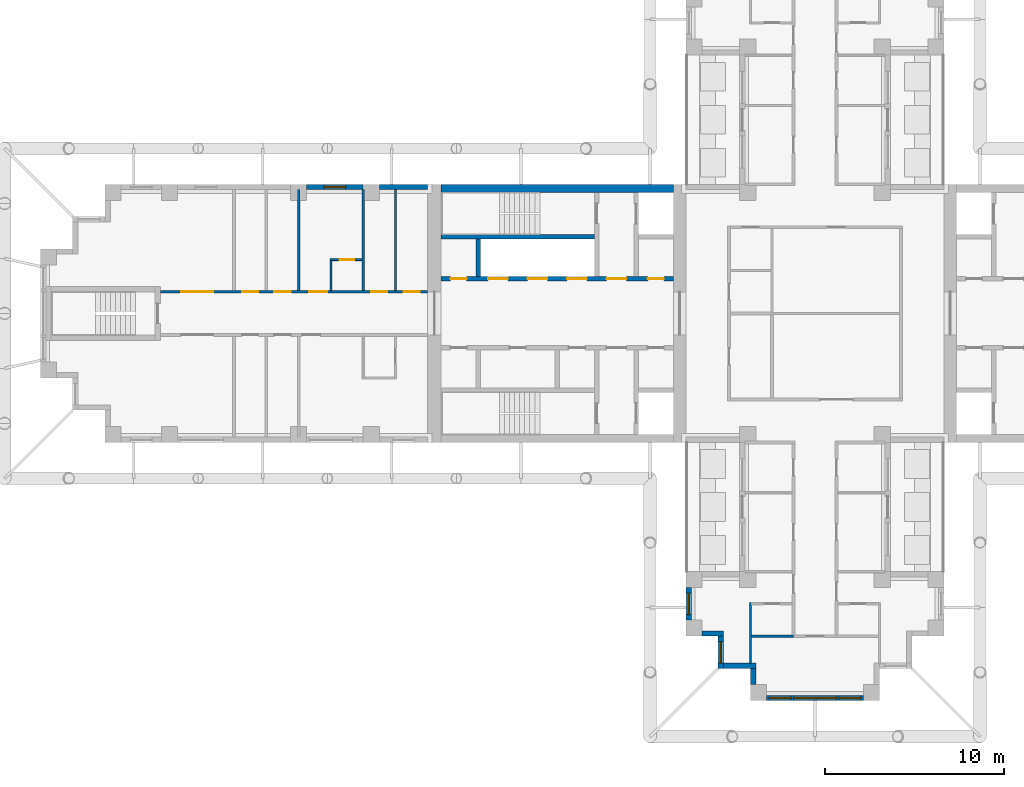
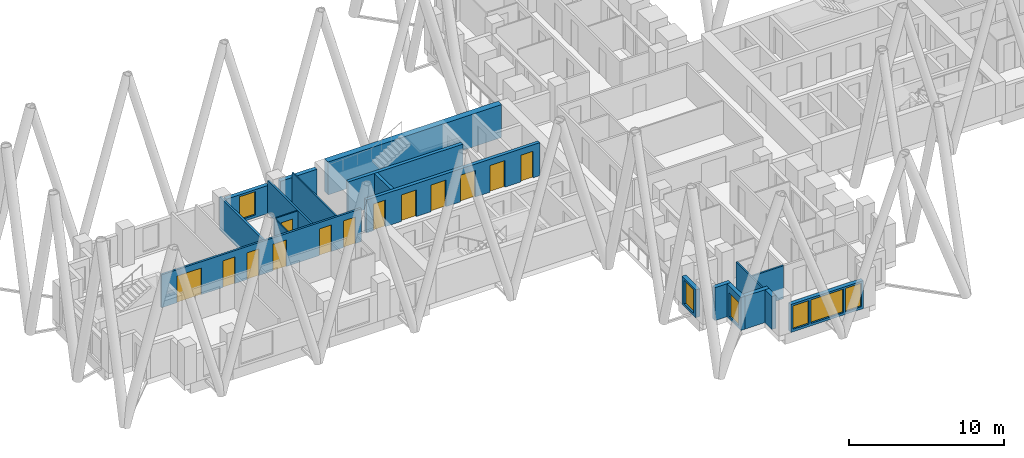
# One storey, part 4 of 13: 20 walls, 13 doors, 6 windows, 19 openings.
"""IFC4 building model written with IfcOpenShell, lengths in metres."""

from ifc_helpers import new_model, si_unit, direction, frame, frame_2d, origin, place, context, subcontext, project, spatial, rectangle, extrude, material, layer, layer_set, type_object, element, fill, save


model = new_model("IFC4")

# Units and contexts
model_context = context("Model", 3, precision=1e-05, world=origin(), true_north=direction((0.0, 1.0)))
body_context = subcontext(model_context, "Body", "Model", "MODEL_VIEW")
ifc_project = project(units=[si_unit("LENGTHUNIT", "METRE"), si_unit("AREAUNIT", "SQUARE_METRE"), si_unit("VOLUMEUNIT", "CUBIC_METRE"), si_unit("PLANEANGLEUNIT", "RADIAN"), si_unit("MASSUNIT", "GRAM", prefix="KILO")], contexts=[model_context])

# Site, building, storey
site_placement = place(None, origin())
site = spatial("IfcSite", under=ifc_project, at=site_placement, CompositionType="ELEMENT")
building_placement = place(site_placement, origin())
building = spatial("IfcBuilding", under=site, at=building_placement, Name="Fustian Cross Tower", CompositionType="ELEMENT")
storey_placement = place(building_placement, frame((0.0, 0.0, 153.300048828125)))
storey = spatial("IfcBuildingStorey", under=building, at=storey_placement, Name="L48", CompositionType="ELEMENT", Elevation=153.300048828125)

# Wall, openings, doors
ifc_material_1 = material(Name="Plasterboard on steel stud", Category="steel")
ifc_layer_1 = layer(ifc_material_1, 0.14990234375)
ifc_layer_set_1 = layer_set([ifc_layer_1], Name="Plasterboard on steel stud")
wall_type_1 = type_object("IfcWallType", Name="COMPARTMENT WALL 150 EI 60", PredefinedType="PARTITIONING", material=ifc_layer_set_1)
wall_1_placement = place(storey_placement, frame((-36.5, 1.199951171875, 0.0), z_axis=(0.0, 0.0, 1.0), x_axis=(1.0, 0.0, 0.0)))
wall_1 = element("IfcWall", 1, at=wall_1_placement, inside=storey, type_object=wall_type_1, Name="Partition 2", PredefinedType="PARTITIONING", context=body_context, shape_type="SweptSolid", body=[
    extrude(rectangle(XDim=14.89990234375, YDim=0.14990234375, at=frame_2d((7.449951171875, 0.0))), origin(), (0.0, 0.0, 1.0), 2.599853515625),
])
opening_1_placement = place(wall_1_placement, frame((13.550048828125, 0.0, 0.0)))
opening_1 = element("IfcOpeningElement", 2, at=opening_1_placement, cuts=wall_1, Name="Opening D21031", PredefinedType="OPENING", context=body_context, shape_type="SweptSolid", body=[
    extrude(rectangle(XDim=0.89990234375, YDim=2.10009765625, at=frame_2d((0.449951171875, 1.050048828125))), frame((0.0, 0.0849609375, 0.0), z_axis=(0.0, -1.0, 0.0), x_axis=(1.0, 0.0, 0.0)), (0.0, 0.0, 1.0), 0.169921875),
])
opening_2_placement = place(wall_1_placement, frame((11.75, 0.0, 0.0)))
opening_2 = element("IfcOpeningElement", 3, at=opening_2_placement, cuts=wall_1, Name="Opening D21032", PredefinedType="OPENING", context=body_context, shape_type="SweptSolid", body=[
    extrude(rectangle(XDim=0.89990234375, YDim=2.10009765625, at=frame_2d((0.449951171875, 1.050048828125))), frame((0.0, 0.0849609375, 0.0), z_axis=(0.0, -1.0, 0.0), x_axis=(1.0, 0.0, 0.0)), (0.0, 0.0, 1.0), 0.169921875),
])
opening_3_placement = place(wall_1_placement, frame((8.300048828125, 0.0, 0.0)))
opening_3 = element("IfcOpeningElement", 4, at=opening_3_placement, cuts=wall_1, Name="Opening D21034", PredefinedType="OPENING", context=body_context, shape_type="SweptSolid", body=[
    extrude(rectangle(XDim=1.0, YDim=2.10009765625, at=frame_2d((0.5, 1.050048828125))), frame((0.0, 0.0849609375, 0.0), z_axis=(0.0, -1.0, 0.0), x_axis=(1.0, 0.0, 0.0)), (0.0, 0.0, 1.0), 0.169921875),
])
opening_4_placement = place(wall_1_placement, frame((6.35009765625, 0.0, 0.0)))
opening_4 = element("IfcOpeningElement", 5, at=opening_4_placement, cuts=wall_1, Name="Opening D21035", PredefinedType="OPENING", context=body_context, shape_type="SweptSolid", body=[
    extrude(rectangle(XDim=0.89990234375, YDim=2.10009765625, at=frame_2d((0.449951171875, 1.050048828125))), frame((0.0, 0.0849609375, 0.0), z_axis=(0.0, -1.0, 0.0), x_axis=(1.0, 0.0, 0.0)), (0.0, 0.0, 1.0), 0.169921875),
])
opening_5_placement = place(wall_1_placement, frame((4.550048828125, 0.0, 0.0)))
opening_5 = element("IfcOpeningElement", 6, at=opening_5_placement, cuts=wall_1, Name="Opening D21036", PredefinedType="OPENING", context=body_context, shape_type="SweptSolid", body=[
    extrude(rectangle(XDim=0.89990234375, YDim=2.10009765625, at=frame_2d((0.449951171875, 1.050048828125))), frame((0.0, 0.0849609375, 0.0), z_axis=(0.0, -1.0, 0.0), x_axis=(1.0, 0.0, 0.0)), (0.0, 0.0, 1.0), 0.169921875),
])
opening_6_placement = place(wall_1_placement, frame((1.14990234375, 0.0, 0.0)))
opening_6 = element("IfcOpeningElement", 7, at=opening_6_placement, cuts=wall_1, Name="Opening D21037", PredefinedType="OPENING", context=body_context, shape_type="SweptSolid", body=[
    extrude(rectangle(XDim=1.800048828125, YDim=2.10009765625, at=frame_2d((0.89990234375, 1.050048828125))), frame((0.0, 0.0849609375, 0.0), z_axis=(0.0, -1.0, 0.0), x_axis=(1.0, 0.0, 0.0)), (0.0, 0.0, 1.0), 0.169921875),
])
ifc_material_2 = material(Name="Timber fire door set", Category="wood")
door_type_1 = type_object("IfcDoorType", Name="FIRE DOUBLE DOOR 1800 FD30S", OperationType="DOUBLE_DOOR_DOUBLE_SWING", PredefinedType="DOOR", material=ifc_material_2)
door_1_placement = place(opening_6_placement, frame((1.800048828125, 0.0, 0.0), z_axis=(0.0, 0.0, 1.0), x_axis=(-1.0, 0.0, 0.0)))
door_1 = element("IfcDoor", 8, at=door_1_placement, inside=storey, type_object=door_type_1, Name="Door D21037", OperationType="DOUBLE_DOOR_DOUBLE_SWING", OverallHeight=2.10009765625, OverallWidth=1.800048828125, PredefinedType="DOOR", context=body_context, shape_type="SweptSolid", body=[
    extrude(rectangle(XDim=1.800048828125, YDim=2.10009765625, at=frame_2d((0.89990234375, 1.050048828125))), frame((0.0, 0.02490234375, 0.0), z_axis=(0.0, -1.0, 0.0), x_axis=(1.0, 0.0, 0.0)), (0.0, 0.0, 1.0), 0.050048828125),
])
fill(opening_6, door_1)
ifc_material_3 = material(Name="Timber fire door set", Category="wood")
door_type_2 = type_object("IfcDoorType", Name="FIRE SWING DOOR 1000 FD30S", OperationType="SINGLE_SWING_LEFT", PredefinedType="DOOR", material=ifc_material_3)
door_2_placement = place(opening_3_placement, origin())
door_2 = element("IfcDoor", 9, at=door_2_placement, inside=storey, type_object=door_type_2, Name="Door D21034", OperationType="SINGLE_SWING_RIGHT", OverallHeight=2.10009765625, OverallWidth=1.0, PredefinedType="DOOR", context=body_context, shape_type="SweptSolid", body=[
    extrude(rectangle(XDim=1.0, YDim=2.10009765625, at=frame_2d((0.5, 1.050048828125))), frame((0.0, 0.02490234375, 0.0), z_axis=(0.0, -1.0, 0.0), x_axis=(1.0, 0.0, 0.0)), (0.0, 0.0, 1.0), 0.050048828125),
])
fill(opening_3, door_2)
ifc_material_4 = material(Name="Timber fire door set", Category="wood")
door_type_3 = type_object("IfcDoorType", Name="FIRE SWING DOOR 900 FD30S", OperationType="SINGLE_SWING_LEFT", PredefinedType="DOOR", material=ifc_material_4)
door_3_placement = place(opening_1_placement, origin())
door_3 = element("IfcDoor", 10, at=door_3_placement, inside=storey, type_object=door_type_3, Name="Door D21031", OperationType="SINGLE_SWING_RIGHT", OverallHeight=2.10009765625, OverallWidth=0.89990234375, PredefinedType="DOOR", context=body_context, shape_type="SweptSolid", body=[
    extrude(rectangle(XDim=0.89990234375, YDim=2.10009765625, at=frame_2d((0.449951171875, 1.050048828125))), frame((0.0, 0.02490234375, 0.0), z_axis=(0.0, -1.0, 0.0), x_axis=(1.0, 0.0, 0.0)), (0.0, 0.0, 1.0), 0.050048828125),
])
fill(opening_1, door_3)
door_4_placement = place(opening_2_placement, origin())
door_4 = element("IfcDoor", 11, at=door_4_placement, inside=storey, type_object=door_type_3, Name="Door D21032", OperationType="SINGLE_SWING_RIGHT", OverallHeight=2.10009765625, OverallWidth=0.89990234375, PredefinedType="DOOR", context=body_context, shape_type="SweptSolid", body=[
    extrude(rectangle(XDim=0.89990234375, YDim=2.10009765625, at=frame_2d((0.449951171875, 1.050048828125))), frame((0.0, 0.02490234375, 0.0), z_axis=(0.0, -1.0, 0.0), x_axis=(1.0, 0.0, 0.0)), (0.0, 0.0, 1.0), 0.050048828125),
])
fill(opening_2, door_4)
door_5_placement = place(opening_4_placement, origin())
door_5 = element("IfcDoor", 12, at=door_5_placement, inside=storey, type_object=door_type_3, Name="Door D21035", OperationType="SINGLE_SWING_RIGHT", OverallHeight=2.10009765625, OverallWidth=0.89990234375, PredefinedType="DOOR", context=body_context, shape_type="SweptSolid", body=[
    extrude(rectangle(XDim=0.89990234375, YDim=2.10009765625, at=frame_2d((0.449951171875, 1.050048828125))), frame((0.0, 0.02490234375, 0.0), z_axis=(0.0, -1.0, 0.0), x_axis=(1.0, 0.0, 0.0)), (0.0, 0.0, 1.0), 0.050048828125),
])
fill(opening_4, door_5)
door_6_placement = place(opening_5_placement, frame((0.89990234375, 0.0, 0.0), z_axis=(0.0, 0.0, 1.0), x_axis=(-1.0, 0.0, 0.0)))
door_6 = element("IfcDoor", 13, at=door_6_placement, inside=storey, type_object=door_type_3, Name="Door D21036", OperationType="SINGLE_SWING_RIGHT", OverallHeight=2.10009765625, OverallWidth=0.89990234375, PredefinedType="DOOR", context=body_context, shape_type="SweptSolid", body=[
    extrude(rectangle(XDim=0.89990234375, YDim=2.10009765625, at=frame_2d((0.449951171875, 1.050048828125))), frame((0.0, 0.02490234375, 0.0), z_axis=(0.0, -1.0, 0.0), x_axis=(1.0, 0.0, 0.0)), (0.0, 0.0, 1.0), 0.050048828125),
])
fill(opening_5, door_6)

# Walls
for number, where, z_axis, x_axis, name in (
    (14, (-28.800048828125, 1.27490234375, 0.0), (0.0, 0.0, 1.0), (0.0, 1.0, 0.0), "Partition 8"),
    (15, (-25.199951171875, 1.27490234375, 0.0), (0.0, 0.0, 1.0), (0.0, 1.0, 0.0), "Partition 13"),
):
    element("IfcWall", number, at=place(storey_placement, frame(where, z_axis=z_axis, x_axis=x_axis)), inside=storey, type_object=wall_type_1, Name=name, PredefinedType="PARTITIONING", context=body_context, shape_type="SweptSolid", body=[
        extrude(rectangle(XDim=5.625, YDim=0.14990234375, at=frame_2d((2.8125, 0.0))), origin(), (0.0, 0.0, 1.0), 2.599853515625),
    ])
ifc_material_5 = material(Name="Concrete C60/75", Category="concrete")
ifc_layer_2 = layer(ifc_material_5, 0.449951171875)
ifc_layer_set_2 = layer_set([ifc_layer_2], Name="Concrete C60/75")
wall_type_2 = type_object("IfcWallType", Name="CORE FACADE WALL 450 C60/75", PredefinedType="SHEAR", material=ifc_layer_set_2)
wall_2_placement = place(storey_placement, frame((-7.89990234375, 6.97509765625, 0.0), z_axis=(0.0, 0.0, 1.0), x_axis=(-1.0, 0.0, 0.0)))
element("IfcWall", 16, at=wall_2_placement, inside=storey, type_object=wall_type_2, Name="Core facade wall", PredefinedType="SHEAR", context=body_context, shape_type="SweptSolid", body=[
    extrude(rectangle(XDim=12.9501953125, YDim=0.449951171875, at=frame_2d((6.47509765625, 0.0))), origin(), (0.0, 0.0, 1.0), 2.599853515625),
])

# Wall, openings, doors
ifc_material_6 = material(Name="Concrete C50/60", Category="concrete")
ifc_layer_3 = layer(ifc_material_6, 0.25)
ifc_layer_set_3 = layer_set([ifc_layer_3], Name="Concrete C50/60")
wall_type_3 = type_object("IfcWallType", Name="CORE LOBBY WALL 250 C50/60", PredefinedType="SHEAR", material=ifc_layer_set_3)
wall_3_placement = place(storey_placement, frame((-7.89990234375, 1.925048828125, 0.0), z_axis=(0.0, 0.0, 1.0), x_axis=(-1.0, 0.0, 0.0)))
wall_3 = element("IfcWall", 17, at=wall_3_placement, inside=storey, type_object=wall_type_3, Name="Core lobby wall", PredefinedType="SHEAR", context=body_context, shape_type="SweptSolid", body=[
    extrude(rectangle(XDim=12.9501953125, YDim=0.25, at=frame_2d((6.47509765625, 0.0))), origin(), (0.0, 0.0, 1.0), 2.599853515625),
])
opening_7_placement = place(wall_3_placement, frame((4.824951171875, 0.0, 0.0)))
opening_7 = element("IfcOpeningElement", 18, at=opening_7_placement, cuts=wall_3, Name="Opening LD", PredefinedType="OPENING", context=body_context, shape_type="SweptSolid", body=[
    extrude(rectangle(XDim=1.10009765625, YDim=2.10009765625, at=frame_2d((0.550048828125, 1.050048828125))), frame((0.0, 0.135009765625, 0.0), z_axis=(0.0, -1.0, 0.0), x_axis=(1.0, 0.0, 0.0)), (0.0, 0.0, 1.0), 0.27001953125),
])
opening_8_placement = place(wall_3_placement, frame((7.02490234375, 0.0, 0.0)))
opening_8 = element("IfcOpeningElement", 19, at=opening_8_placement, cuts=wall_3, Name="Opening LD", PredefinedType="OPENING", context=body_context, shape_type="SweptSolid", body=[
    extrude(rectangle(XDim=1.10009765625, YDim=2.10009765625, at=frame_2d((0.550048828125, 1.050048828125))), frame((0.0, 0.135009765625, 0.0), z_axis=(0.0, -1.0, 0.0), x_axis=(1.0, 0.0, 0.0)), (0.0, 0.0, 1.0), 0.27001953125),
])
opening_9_placement = place(wall_3_placement, frame((9.22509765625, 0.0, 0.0)))
opening_9 = element("IfcOpeningElement", 20, at=opening_9_placement, cuts=wall_3, Name="Opening LD", PredefinedType="OPENING", context=body_context, shape_type="SweptSolid", body=[
    extrude(rectangle(XDim=1.10009765625, YDim=2.10009765625, at=frame_2d((0.550048828125, 1.050048828125))), frame((0.0, 0.135009765625, 0.0), z_axis=(0.0, -1.0, 0.0), x_axis=(1.0, 0.0, 0.0)), (0.0, 0.0, 1.0), 0.27001953125),
])
opening_10_placement = place(wall_3_placement, frame((0.52490234375, 0.0, 0.0)))
opening_10 = element("IfcOpeningElement", 21, at=opening_10_placement, cuts=wall_3, Name="Opening CD-16-25", PredefinedType="OPENING", context=body_context, shape_type="SweptSolid", body=[
    extrude(rectangle(XDim=0.89990234375, YDim=2.10009765625, at=frame_2d((0.449951171875, 1.050048828125))), frame((0.0, 0.135009765625, 0.0), z_axis=(0.0, -1.0, 0.0), x_axis=(1.0, 0.0, 0.0)), (0.0, 0.0, 1.0), 0.27001953125),
])
opening_11_placement = place(wall_3_placement, frame((2.625, 0.0, 0.0)))
opening_11 = element("IfcOpeningElement", 22, at=opening_11_placement, cuts=wall_3, Name="Opening CD-16-27", PredefinedType="OPENING", context=body_context, shape_type="SweptSolid", body=[
    extrude(rectangle(XDim=1.10009765625, YDim=2.10009765625, at=frame_2d((0.550048828125, 1.050048828125))), frame((0.0, 0.135009765625, 0.0), z_axis=(0.0, -1.0, 0.0), x_axis=(1.0, 0.0, 0.0)), (0.0, 0.0, 1.0), 0.27001953125),
])
opening_12_placement = place(wall_3_placement, frame((11.52490234375, 0.0, 0.0)))
opening_12 = element("IfcOpeningElement", 23, at=opening_12_placement, cuts=wall_3, Name="Opening CD-16-31", PredefinedType="OPENING", context=body_context, shape_type="SweptSolid", body=[
    extrude(rectangle(XDim=0.89990234375, YDim=2.10009765625, at=frame_2d((0.449951171875, 1.050048828125))), frame((0.0, 0.135009765625, 0.0), z_axis=(0.0, -1.0, 0.0), x_axis=(1.0, 0.0, 0.0)), (0.0, 0.0, 1.0), 0.27001953125),
])
ifc_material_7 = material(Name="Steel", Category="steel")
door_type_4 = type_object("IfcDoorType", Name="FIRE DOOR FD30S 900X2100", OperationType="SINGLE_SWING_LEFT", PredefinedType="DOOR", material=ifc_material_7)
door_7_placement = place(opening_12_placement, frame((0.89990234375, 0.0, 0.0), z_axis=(0.0, 0.0, 1.0), x_axis=(-1.0, 0.0, 0.0)))
door_7 = element("IfcDoor", 24, at=door_7_placement, inside=storey, type_object=door_type_4, Name="Core door CD-16-31", OperationType="SINGLE_SWING_RIGHT", OverallHeight=2.10009765625, OverallWidth=0.89990234375, PredefinedType="DOOR", context=body_context, shape_type="SweptSolid", body=[
    extrude(rectangle(XDim=0.89990234375, YDim=2.10009765625, at=frame_2d((0.449951171875, 1.050048828125))), frame((0.0, 0.02490234375, 0.0), z_axis=(0.0, -1.0, 0.0), x_axis=(1.0, 0.0, 0.0)), (0.0, 0.0, 1.0), 0.050048828125),
])
fill(opening_12, door_7)
ifc_material_8 = material(Name="Steel", Category="steel")
door_type_5 = type_object("IfcDoorType", Name="FIRE DOOR FD60S 1100X2100", OperationType="SINGLE_SWING_LEFT", PredefinedType="DOOR", material=ifc_material_8)
door_8_placement = place(opening_11_placement, frame((1.10009765625, 0.0, 0.0), z_axis=(0.0, 0.0, 1.0), x_axis=(-1.0, 0.0, 0.0)))
door_8 = element("IfcDoor", 25, at=door_8_placement, inside=storey, type_object=door_type_5, Name="Core door CD-16-27", OperationType="SINGLE_SWING_RIGHT", OverallHeight=2.10009765625, OverallWidth=1.10009765625, PredefinedType="DOOR", context=body_context, shape_type="SweptSolid", body=[
    extrude(rectangle(XDim=1.10009765625, YDim=2.10009765625, at=frame_2d((0.550048828125, 1.050048828125))), frame((0.0, 0.02490234375, 0.0), z_axis=(0.0, -1.0, 0.0), x_axis=(1.0, 0.0, 0.0)), (0.0, 0.0, 1.0), 0.050048828125),
])
fill(opening_11, door_8)
ifc_material_9 = material(Name="Steel", Category="steel")
door_type_6 = type_object("IfcDoorType", Name="FIRE DOOR FD60S 900X2100", OperationType="SINGLE_SWING_LEFT", PredefinedType="DOOR", material=ifc_material_9)
door_9_placement = place(opening_10_placement, frame((0.89990234375, 0.0, 0.0), z_axis=(0.0, 0.0, 1.0), x_axis=(-1.0, 0.0, 0.0)))
door_9 = element("IfcDoor", 26, at=door_9_placement, inside=storey, type_object=door_type_6, Name="Core door CD-16-25", OperationType="SINGLE_SWING_RIGHT", OverallHeight=2.10009765625, OverallWidth=0.89990234375, PredefinedType="DOOR", context=body_context, shape_type="SweptSolid", body=[
    extrude(rectangle(XDim=0.89990234375, YDim=2.10009765625, at=frame_2d((0.449951171875, 1.050048828125))), frame((0.0, 0.02490234375, 0.0), z_axis=(0.0, -1.0, 0.0), x_axis=(1.0, 0.0, 0.0)), (0.0, 0.0, 1.0), 0.050048828125),
])
fill(opening_10, door_9)
ifc_material_10 = material(Name="Stainless steel", Category="steel")
door_type_7 = type_object("IfcDoorType", Name="LIFT LANDING DOOR 1100X2100", OperationType="SLIDING_TO_LEFT", PredefinedType="DOOR", material=ifc_material_10)
door_10_placement = place(opening_7_placement, origin())
door_10 = element("IfcDoor", 27, at=door_10_placement, inside=storey, type_object=door_type_7, Name="Landing door HR1W", OperationType="SLIDING_TO_LEFT", OverallHeight=2.10009765625, OverallWidth=1.10009765625, PredefinedType="DOOR", context=body_context, shape_type="SweptSolid", body=[
    extrude(rectangle(XDim=1.10009765625, YDim=2.10009765625, at=frame_2d((0.550048828125, 1.050048828125))), frame((0.0, 0.02490234375, 0.0), z_axis=(0.0, -1.0, 0.0), x_axis=(1.0, 0.0, 0.0)), (0.0, 0.0, 1.0), 0.050048828125),
])
fill(opening_7, door_10)
door_11_placement = place(opening_8_placement, origin())
door_11 = element("IfcDoor", 28, at=door_11_placement, inside=storey, type_object=door_type_7, Name="Landing door HR2W", OperationType="SLIDING_TO_LEFT", OverallHeight=2.10009765625, OverallWidth=1.10009765625, PredefinedType="DOOR", context=body_context, shape_type="SweptSolid", body=[
    extrude(rectangle(XDim=1.10009765625, YDim=2.10009765625, at=frame_2d((0.550048828125, 1.050048828125))), frame((0.0, 0.02490234375, 0.0), z_axis=(0.0, -1.0, 0.0), x_axis=(1.0, 0.0, 0.0)), (0.0, 0.0, 1.0), 0.050048828125),
])
fill(opening_8, door_11)
door_12_placement = place(opening_9_placement, origin())
door_12 = element("IfcDoor", 29, at=door_12_placement, inside=storey, type_object=door_type_7, Name="Landing door HR3W", OperationType="SLIDING_TO_LEFT", OverallHeight=2.10009765625, OverallWidth=1.10009765625, PredefinedType="DOOR", context=body_context, shape_type="SweptSolid", body=[
    extrude(rectangle(XDim=1.10009765625, YDim=2.10009765625, at=frame_2d((0.550048828125, 1.050048828125))), frame((0.0, 0.02490234375, 0.0), z_axis=(0.0, -1.0, 0.0), x_axis=(1.0, 0.0, 0.0)), (0.0, 0.0, 1.0), 0.050048828125),
])
fill(opening_9, door_12)

# Walls
ifc_material_11 = material(Name="Concrete C50/60", Category="concrete")
ifc_layer_4 = layer(ifc_material_11, 0.25)
ifc_layer_set_4 = layer_set([ifc_layer_4], Name="Concrete C50/60")
wall_type_4 = type_object("IfcWallType", Name="CORE SHAFT WALL 250 C50/60", PredefinedType="SHEAR", material=ifc_layer_set_4)
wall_4_placement = place(storey_placement, frame((-12.300048828125, 4.27490234375, 0.0), z_axis=(0.0, 0.0, 1.0), x_axis=(-1.0, 0.0, 0.0)))
element("IfcWall", 30, at=wall_4_placement, inside=storey, type_object=wall_type_4, Name="Core shaft wall", PredefinedType="SHEAR", context=body_context, shape_type="SweptSolid", body=[
    extrude(rectangle(XDim=8.550048828125, YDim=0.25, at=frame_2d((4.27490234375, 0.0))), origin(), (0.0, 0.0, 1.0), 2.599853515625),
])
ifc_material_12 = material(Name="Plasterboard on steel stud", Category="steel")
ifc_layer_5 = layer(ifc_material_12, 0.10009765625)
ifc_layer_set_5 = layer_set([ifc_layer_5], Name="Plasterboard on steel stud")
wall_type_5 = type_object("IfcWallType", Name="PARTITION 100 STUD", PredefinedType="PARTITIONING", material=ifc_layer_set_5)
wall_5_placement = place(storey_placement, frame((-27.0, 1.27490234375, 0.0), z_axis=(0.0, 0.0, 1.0), x_axis=(0.0, 1.0, 0.0)))
element("IfcWall", 31, at=wall_5_placement, inside=storey, type_object=wall_type_5, Name="Partition 9", PredefinedType="PARTITIONING", context=body_context, shape_type="SweptSolid", body=[
    extrude(rectangle(XDim=1.675048828125, YDim=0.10009765625, at=frame_2d((0.83740234375, 0.0))), origin(), (0.0, 0.0, 1.0), 2.599853515625),
])

# Wall, opening, door
wall_6_placement = place(storey_placement, frame((-27.050048828125, 3.0, 0.0), z_axis=(0.0, 0.0, 1.0), x_axis=(1.0, 0.0, 0.0)))
wall_6 = element("IfcWall", 32, at=wall_6_placement, inside=storey, type_object=wall_type_5, Name="Partition 10", PredefinedType="PARTITIONING", context=body_context, shape_type="SweptSolid", body=[
    extrude(rectangle(XDim=1.775146484375, YDim=0.10009765625, at=frame_2d((0.8876953125, 0.0))), origin(), (0.0, 0.0, 1.0), 2.599853515625),
])
opening_13_placement = place(wall_6_placement, frame((0.550048828125, 0.0, 0.0)))
opening_13 = element("IfcOpeningElement", 33, at=opening_13_placement, cuts=wall_6, Name="Opening D21033", PredefinedType="OPENING", context=body_context, shape_type="SweptSolid", body=[
    extrude(rectangle(XDim=0.800048828125, YDim=2.10009765625, at=frame_2d((0.39990234375, 1.050048828125))), frame((0.0, 0.06005859375, 0.0), z_axis=(0.0, -1.0, 0.0), x_axis=(1.0, 0.0, 0.0)), (0.0, 0.0, 1.0), 0.1201171875),
])
ifc_material_13 = material(Name="Painted timber", Category="wood")
door_type_8 = type_object("IfcDoorType", Name="SWING DOOR 800", OperationType="SINGLE_SWING_LEFT", PredefinedType="DOOR", material=ifc_material_13)
door_13_placement = place(opening_13_placement, frame((0.800048828125, 0.0, 0.0), z_axis=(0.0, 0.0, 1.0), x_axis=(-1.0, 0.0, 0.0)))
door_13 = element("IfcDoor", 34, at=door_13_placement, inside=storey, type_object=door_type_8, Name="Door D21033", OperationType="SINGLE_SWING_LEFT", OverallHeight=2.10009765625, OverallWidth=0.800048828125, PredefinedType="DOOR", context=body_context, shape_type="SweptSolid", body=[
    extrude(rectangle(XDim=0.800048828125, YDim=2.10009765625, at=frame_2d((0.39990234375, 1.050048828125))), frame((0.0, 0.02490234375, 0.0), z_axis=(0.0, -1.0, 0.0), x_axis=(1.0, 0.0, 0.0)), (0.0, 0.0, 1.0), 0.050048828125),
])
fill(opening_13, door_13)

# Walls
wall_7_placement = place(storey_placement, frame((-23.39990234375, 1.27490234375, 0.0), z_axis=(0.0, 0.0, 1.0), x_axis=(0.0, 1.0, 0.0)))
element("IfcWall", 35, at=wall_7_placement, inside=storey, type_object=wall_type_5, Name="Partition 15", PredefinedType="PARTITIONING", context=body_context, shape_type="SweptSolid", body=[
    extrude(rectangle(XDim=5.625, YDim=0.10009765625, at=frame_2d((2.8125, 0.0))), origin(), (0.0, 0.0, 1.0), 2.599853515625),
])
wall_8_placement = place(storey_placement, frame((-3.60009765625, -19.5, 0.0), z_axis=(0.0, 0.0, 1.0), x_axis=(0.0, 1.0, 0.0)))
element("IfcWall", 36, at=wall_8_placement, inside=storey, type_object=wall_type_5, Name="Partition 27", PredefinedType="PARTITIONING", context=body_context, shape_type="SweptSolid", body=[
    extrude(rectangle(XDim=3.35009765625, YDim=0.10009765625, at=frame_2d((1.675048828125, 0.0))), origin(), (0.0, 0.0, 1.0), 2.599853515625),
])
ifc_material_14 = material(Name="Concrete C40/50", Category="concrete")
ifc_layer_6 = layer(ifc_material_14, 0.25)
ifc_layer_set_6 = layer_set([ifc_layer_6], Name="Concrete C40/50")
wall_type_6 = type_object("IfcWallType", Name="SHAFT PARTITION WALL 250 C40/50", PredefinedType="PARTITIONING", material=ifc_layer_set_6)
wall_9_placement = place(storey_placement, frame((-18.77490234375, 2.050048828125, 0.0), z_axis=(0.0, 0.0, 1.0), x_axis=(0.0, 1.0, 0.0)))
element("IfcWall", 37, at=wall_9_placement, inside=storey, type_object=wall_type_6, Name="Core shaft wall", PredefinedType="PARTITIONING", context=body_context, shape_type="SweptSolid", body=[
    extrude(rectangle(XDim=2.099853515625, YDim=0.25, at=frame_2d((1.0498046875, 0.0))), origin(), (0.0, 0.0, 1.0), 2.599853515625),
])
ifc_material_15 = material(Name="Plasterboard on steel stud", Category="steel")
ifc_layer_7 = layer(ifc_material_15, 0.125)
ifc_layer_set_7 = layer_set([ifc_layer_7], Name="Plasterboard on steel stud")
wall_type_7 = type_object("IfcWallType", Name="WET WALL 125 STUD", PredefinedType="PARTITIONING", material=ifc_layer_set_7)
wall_10_placement = place(storey_placement, frame((-3.550048828125, -18.0, 0.0), z_axis=(0.0, 0.0, 1.0), x_axis=(1.0, 0.0, 0.0)))
element("IfcWall", 38, at=wall_10_placement, inside=storey, type_object=wall_type_7, Name="Partition 28", PredefinedType="PARTITIONING", context=body_context, shape_type="SweptSolid", body=[
    extrude(rectangle(XDim=2.35009765625, YDim=0.125, at=frame_2d((1.175048828125, 0.0))), origin(), (0.0, 0.0, 1.0), 2.599853515625),
])
ifc_material_16 = material(Name="Dark aluminium cladding on insulated backing wall", Category="aluminium")
ifc_layer_8 = layer(ifc_material_16, 0.300048828125)
ifc_layer_set_8 = layer_set([ifc_layer_8], Name="Dark aluminium cladding on insulated backing wall")
wall_type_8 = type_object("IfcWallType", Name="XW1 EXTERNAL WALL 300", PredefinedType="SOLIDWALL", material=ifc_layer_set_8)
wall_11_placement = place(storey_placement, frame((-21.60009765625, 7.050048828125, 0.0), z_axis=(0.0, 0.0, 1.0), x_axis=(-1.0, 0.0, 0.0)))
element("IfcWall", 39, at=wall_11_placement, inside=storey, type_object=wall_type_8, Name="External wall", PredefinedType="SOLIDWALL", context=body_context, shape_type="SweptSolid", body=[
    extrude(rectangle(XDim=2.699951171875, YDim=0.300048828125, at=frame_2d((1.35009765625, 0.0))), origin(), (0.0, 0.0, 1.0), 2.199951171875),
])

# Wall, opening, window
wall_12_placement = place(storey_placement, frame((-25.199951171875, 7.050048828125, 0.0), z_axis=(0.0, 0.0, 1.0), x_axis=(-1.0, 0.0, 0.0)))
wall_12 = element("IfcWall", 40, at=wall_12_placement, inside=storey, type_object=wall_type_8, Name="External wall", PredefinedType="SOLIDWALL", context=body_context, shape_type="SweptSolid", body=[
    extrude(rectangle(XDim=3.150146484375, YDim=0.300048828125, at=frame_2d((1.5751953125, 0.0))), origin(), (0.0, 0.0, 1.0), 2.199951171875),
])
opening_14_placement = place(wall_12_placement, frame((0.97509765625, 0.0, 0.199951171875)))
opening_14 = element("IfcOpeningElement", 41, at=opening_14_placement, cuts=wall_12, Name="Opening WN3", PredefinedType="OPENING", context=body_context, shape_type="SweptSolid", body=[
    extrude(rectangle(XDim=1.199951171875, YDim=1.85009765625, at=frame_2d((0.60009765625, 0.925048828125))), frame((0.0, 0.159912109375, 0.0), z_axis=(0.0, -1.0, 0.0), x_axis=(1.0, 0.0, 0.0)), (0.0, 0.0, 1.0), 0.320068359375),
])
ifc_material_17 = material(Name="Dark anodised aluminium and double glazing", Category="aluminium")
window_type_1 = type_object("IfcWindowType", Name="WN3 WINDOW 1200X1850", PartitioningType="SINGLE_PANEL", PredefinedType="WINDOW", material=ifc_material_17)
window_1_placement = place(opening_14_placement, origin())
window_1 = element("IfcWindow", 42, at=window_1_placement, inside=storey, type_object=window_type_1, Name="Window", OverallHeight=1.85009765625, OverallWidth=1.199951171875, PartitioningType="SINGLE_PANEL", PredefinedType="WINDOW", context=body_context, shape_type="SweptSolid", body=[
    extrude(rectangle(XDim=1.199951171875, YDim=1.85009765625, at=frame_2d((0.60009765625, 0.925048828125))), frame((0.0, 0.030029296875, 0.0), z_axis=(0.0, -1.0, 0.0), x_axis=(1.0, 0.0, 0.0)), (0.0, 0.0, 1.0), 0.06005859375),
])
fill(opening_14, window_1)

wall_13_placement = place(storey_placement, frame((-7.050048828125, -15.300048828125, 0.0), z_axis=(0.0, 0.0, 1.0), x_axis=(0.0, -1.0, 0.0)))
wall_13 = element("IfcWall", 43, at=wall_13_placement, inside=storey, type_object=wall_type_8, Name="External wall", PredefinedType="SOLIDWALL", context=body_context, shape_type="SweptSolid", body=[
    extrude(rectangle(XDim=1.800048828125, YDim=0.300048828125, at=frame_2d((0.89990234375, 0.0))), origin(), (0.0, 0.0, 1.0), 2.199951171875),
])
opening_15_placement = place(wall_13_placement, frame((0.300048828125, 0.0, 0.199951171875)))
opening_15 = element("IfcOpeningElement", 44, at=opening_15_placement, cuts=wall_13, Name="Opening WN3", PredefinedType="OPENING", context=body_context, shape_type="SweptSolid", body=[
    extrude(rectangle(XDim=1.199951171875, YDim=1.85009765625, at=frame_2d((0.60009765625, 0.925048828125))), frame((0.0, 0.159912109375, 0.0), z_axis=(0.0, -1.0, 0.0), x_axis=(1.0, 0.0, 0.0)), (0.0, 0.0, 1.0), 0.320068359375),
])
window_2_placement = place(opening_15_placement, origin())
window_2 = element("IfcWindow", 45, at=window_2_placement, inside=storey, type_object=window_type_1, Name="Window", OverallHeight=1.85009765625, OverallWidth=1.199951171875, PartitioningType="SINGLE_PANEL", PredefinedType="WINDOW", context=body_context, shape_type="SweptSolid", body=[
    extrude(rectangle(XDim=1.199951171875, YDim=1.85009765625, at=frame_2d((0.60009765625, 0.925048828125))), frame((0.0, 0.030029296875, 0.0), z_axis=(0.0, -1.0, 0.0), x_axis=(1.0, 0.0, 0.0)), (0.0, 0.0, 1.0), 0.06005859375),
])
fill(opening_15, window_2)

# Wall
wall_14_placement = place(storey_placement, frame((-6.300048828125, -17.85009765625, 0.0), z_axis=(0.0, 0.0, 1.0), x_axis=(1.0, 0.0, 0.0)))
element("IfcWall", 46, at=wall_14_placement, inside=storey, type_object=wall_type_8, Name="External wall", PredefinedType="SOLIDWALL", context=body_context, shape_type="SweptSolid", body=[
    extrude(rectangle(XDim=1.199951171875, YDim=0.300048828125, at=frame_2d((0.60009765625, 0.0))), origin(), (0.0, 0.0, 1.0), 2.599853515625),
])

# Wall, opening, window
wall_15_placement = place(storey_placement, frame((-5.25, -18.0, 0.0), z_axis=(0.0, 0.0, 1.0), x_axis=(0.0, -1.0, 0.0)))
wall_15 = element("IfcWall", 47, at=wall_15_placement, inside=storey, type_object=wall_type_8, Name="External wall", PredefinedType="SOLIDWALL", context=body_context, shape_type="SweptSolid", body=[
    extrude(rectangle(XDim=1.800048828125, YDim=0.300048828125, at=frame_2d((0.89990234375, 0.0))), origin(), (0.0, 0.0, 1.0), 2.599853515625),
])
opening_16_placement = place(wall_15_placement, frame((0.300048828125, 0.0, 0.199951171875)))
opening_16 = element("IfcOpeningElement", 48, at=opening_16_placement, cuts=wall_15, Name="Opening WN3", PredefinedType="OPENING", context=body_context, shape_type="SweptSolid", body=[
    extrude(rectangle(XDim=1.199951171875, YDim=1.85009765625, at=frame_2d((0.60009765625, 0.925048828125))), frame((0.0, 0.159912109375, 0.0), z_axis=(0.0, -1.0, 0.0), x_axis=(1.0, 0.0, 0.0)), (0.0, 0.0, 1.0), 0.320068359375),
])
window_3_placement = place(opening_16_placement, origin())
window_3 = element("IfcWindow", 49, at=window_3_placement, inside=storey, type_object=window_type_1, Name="Window", OverallHeight=1.85009765625, OverallWidth=1.199951171875, PartitioningType="SINGLE_PANEL", PredefinedType="WINDOW", context=body_context, shape_type="SweptSolid", body=[
    extrude(rectangle(XDim=1.199951171875, YDim=1.85009765625, at=frame_2d((0.60009765625, 0.925048828125))), frame((0.0, 0.030029296875, 0.0), z_axis=(0.0, -1.0, 0.0), x_axis=(1.0, 0.0, 0.0)), (0.0, 0.0, 1.0), 0.06005859375),
])
fill(opening_16, window_3)

# Walls
wall_16_placement = place(storey_placement, frame((-5.10009765625, -19.64990234375, 0.0), z_axis=(0.0, 0.0, 1.0), x_axis=(1.0, 0.0, 0.0)))
element("IfcWall", 50, at=wall_16_placement, inside=storey, type_object=wall_type_8, Name="External wall", PredefinedType="SOLIDWALL", context=body_context, shape_type="SweptSolid", body=[
    extrude(rectangle(XDim=1.800048828125, YDim=0.300048828125, at=frame_2d((0.89990234375, 0.0))), origin(), (0.0, 0.0, 1.0), 2.599853515625),
])
wall_17_placement = place(storey_placement, frame((-3.449951171875, -19.800048828125, 0.0), z_axis=(0.0, 0.0, 1.0), x_axis=(0.0, -1.0, 0.0)))
element("IfcWall", 51, at=wall_17_placement, inside=storey, type_object=wall_type_8, Name="External wall", PredefinedType="SOLIDWALL", context=body_context, shape_type="SweptSolid", body=[
    extrude(rectangle(XDim=0.89990234375, YDim=0.300048828125, at=frame_2d((0.449951171875, 0.0))), origin(), (0.0, 0.0, 1.0), 2.599853515625),
])

# Wall, openings, windows
wall_18_placement = place(storey_placement, frame((-2.699951171875, -21.449951171875, 0.0), z_axis=(0.0, 0.0, 1.0), x_axis=(1.0, 0.0, 0.0)))
wall_18 = element("IfcWall", 52, at=wall_18_placement, inside=storey, type_object=wall_type_8, Name="External wall", PredefinedType="SOLIDWALL", context=body_context, shape_type="SweptSolid", body=[
    extrude(rectangle(XDim=5.39990234375, YDim=0.300048828125, at=frame_2d((2.699951171875, 0.0))), origin(), (0.0, 0.0, 1.0), 2.199951171875),
])
opening_17_placement = place(wall_18_placement, frame((1.5, 0.0, 0.199951171875)))
opening_17 = element("IfcOpeningElement", 53, at=opening_17_placement, cuts=wall_18, Name="Opening WN1", PredefinedType="OPENING", context=body_context, shape_type="SweptSolid", body=[
    extrude(rectangle(XDim=2.39990234375, YDim=1.85009765625, at=frame_2d((1.199951171875, 0.925048828125))), frame((0.0, 0.159912109375, 0.0), z_axis=(0.0, -1.0, 0.0), x_axis=(1.0, 0.0, 0.0)), (0.0, 0.0, 1.0), 0.320068359375),
])
opening_18_placement = place(wall_18_placement, frame((0.14990234375, 0.0, 0.199951171875)))
opening_18 = element("IfcOpeningElement", 54, at=opening_18_placement, cuts=wall_18, Name="Opening WN3", PredefinedType="OPENING", context=body_context, shape_type="SweptSolid", body=[
    extrude(rectangle(XDim=1.199951171875, YDim=1.85009765625, at=frame_2d((0.60009765625, 0.925048828125))), frame((0.0, 0.159912109375, 0.0), z_axis=(0.0, -1.0, 0.0), x_axis=(1.0, 0.0, 0.0)), (0.0, 0.0, 1.0), 0.320068359375),
])
opening_19_placement = place(wall_18_placement, frame((4.050048828125, 0.0, 0.199951171875)))
opening_19 = element("IfcOpeningElement", 55, at=opening_19_placement, cuts=wall_18, Name="Opening WN3", PredefinedType="OPENING", context=body_context, shape_type="SweptSolid", body=[
    extrude(rectangle(XDim=1.199951171875, YDim=1.85009765625, at=frame_2d((0.60009765625, 0.925048828125))), frame((0.0, 0.159912109375, 0.0), z_axis=(0.0, -1.0, 0.0), x_axis=(1.0, 0.0, 0.0)), (0.0, 0.0, 1.0), 0.320068359375),
])
ifc_material_18 = material(Name="Dark anodised aluminium and double glazing", Category="aluminium")
window_type_2 = type_object("IfcWindowType", Name="WN1 WINDOW 2400X1850", PartitioningType="SINGLE_PANEL", PredefinedType="WINDOW", material=ifc_material_18)
window_4_placement = place(opening_17_placement, origin())
window_4 = element("IfcWindow", 56, at=window_4_placement, inside=storey, type_object=window_type_2, Name="Window", OverallHeight=1.85009765625, OverallWidth=2.39990234375, PartitioningType="SINGLE_PANEL", PredefinedType="WINDOW", context=body_context, shape_type="SweptSolid", body=[
    extrude(rectangle(XDim=2.39990234375, YDim=1.85009765625, at=frame_2d((1.199951171875, 0.925048828125))), frame((0.0, 0.030029296875, 0.0), z_axis=(0.0, -1.0, 0.0), x_axis=(1.0, 0.0, 0.0)), (0.0, 0.0, 1.0), 0.06005859375),
])
fill(opening_17, window_4)
window_5_placement = place(opening_18_placement, origin())
window_5 = element("IfcWindow", 57, at=window_5_placement, inside=storey, type_object=window_type_1, Name="Window", OverallHeight=1.85009765625, OverallWidth=1.199951171875, PartitioningType="SINGLE_PANEL", PredefinedType="WINDOW", context=body_context, shape_type="SweptSolid", body=[
    extrude(rectangle(XDim=1.199951171875, YDim=1.85009765625, at=frame_2d((0.60009765625, 0.925048828125))), frame((0.0, 0.030029296875, 0.0), z_axis=(0.0, -1.0, 0.0), x_axis=(1.0, 0.0, 0.0)), (0.0, 0.0, 1.0), 0.06005859375),
])
fill(opening_18, window_5)
window_6_placement = place(opening_19_placement, origin())
window_6 = element("IfcWindow", 58, at=window_6_placement, inside=storey, type_object=window_type_1, Name="Window", OverallHeight=1.85009765625, OverallWidth=1.199951171875, PartitioningType="SINGLE_PANEL", PredefinedType="WINDOW", context=body_context, shape_type="SweptSolid", body=[
    extrude(rectangle(XDim=1.199951171875, YDim=1.85009765625, at=frame_2d((0.60009765625, 0.925048828125))), frame((0.0, 0.030029296875, 0.0), z_axis=(0.0, -1.0, 0.0), x_axis=(1.0, 0.0, 0.0)), (0.0, 0.0, 1.0), 0.06005859375),
])
fill(opening_19, window_6)

save(model, "model.ifc")
